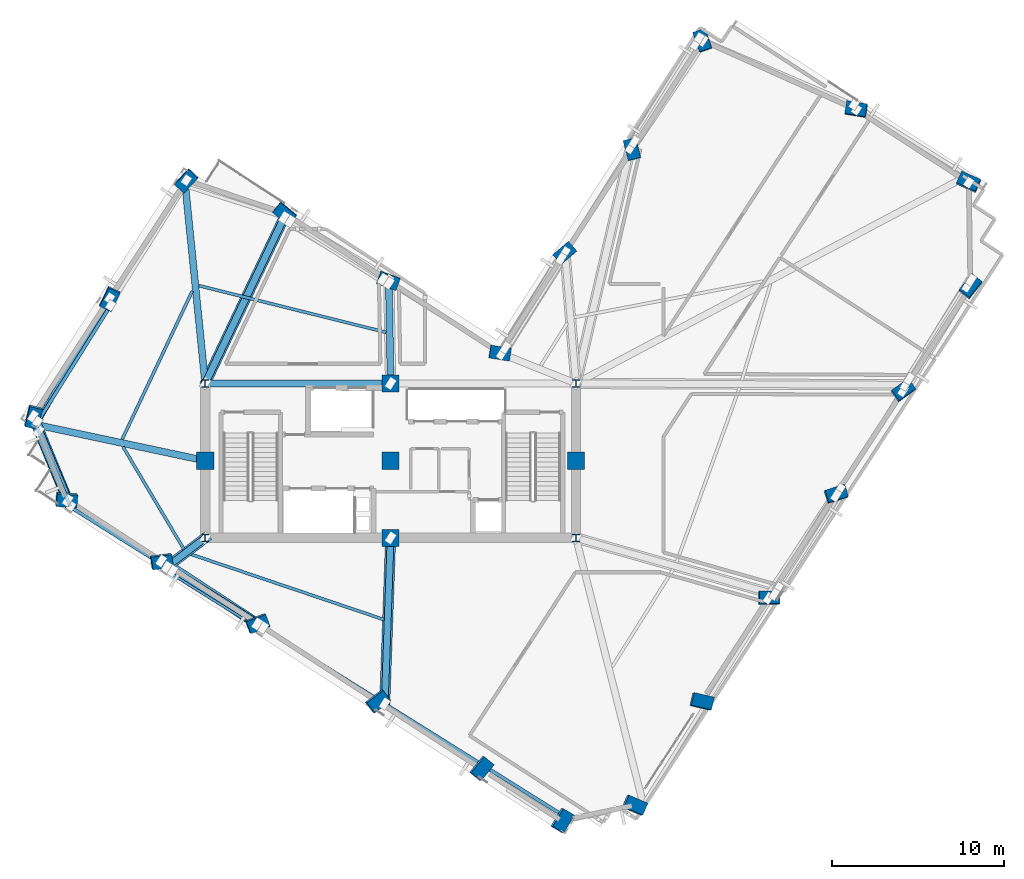
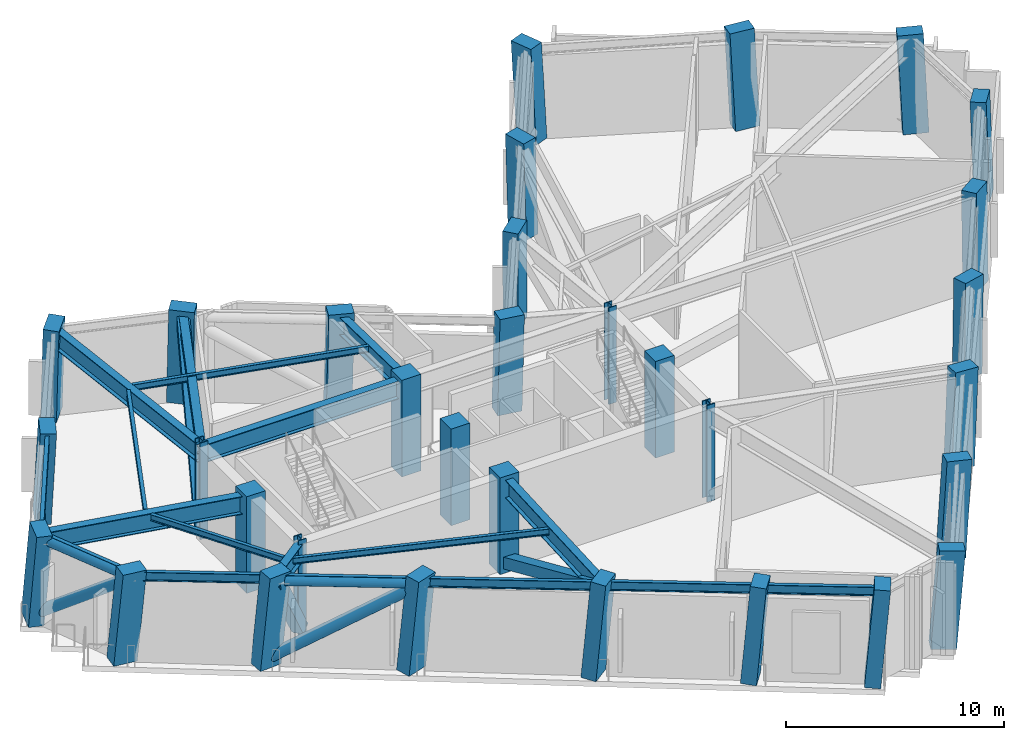
# One storey, part 1 of 11: 32 columns, 17 beams, 9 members.
"""IFC4 building model written with IfcOpenShell, lengths in metres."""

from ifc_helpers import new_model, si_unit, direction, frame, origin, origin_2d, place, context, subcontext, project, spatial, rectangle, hollow_rectangle, hollow_circle, i_section, extrude, material, material_profile, profile_set, type_object, element, save


model = new_model("IFC4")

# Units and contexts
model_context = context("Model", 3, precision=1e-05, world=origin(), true_north=direction((0.0, 1.0)))
body_context = subcontext(model_context, "Body", "Model", "MODEL_VIEW")
ifc_project = project(units=[si_unit("LENGTHUNIT", "METRE"), si_unit("AREAUNIT", "SQUARE_METRE"), si_unit("VOLUMEUNIT", "CUBIC_METRE"), si_unit("PLANEANGLEUNIT", "RADIAN"), si_unit("MASSUNIT", "GRAM", prefix="KILO")], contexts=[model_context])

# Site, building, storey
site_placement = place(None, origin())
site = spatial("IfcSite", under=ifc_project, at=site_placement, CompositionType="ELEMENT")
building_placement = place(site_placement, origin())
building = spatial("IfcBuilding", under=site, at=building_placement, Name="Gaonmaruhae Medical Tower", CompositionType="ELEMENT")
storey_placement = place(building_placement, frame((0.0, 0.0, 267.199951171875)))
storey = spatial("IfcBuildingStorey", under=building, at=storey_placement, Name="L64", CompositionType="ELEMENT", Elevation=267.199951171875)

# Columns
ifc_material_1 = material(Name="Concrete C50/60", Category="concrete")
ifc_material_profile_1 = material_profile(ifc_material_1, rectangle(XDim=1.0, YDim=1.0, at=origin_2d()), Name="RC-1000x1000")
ifc_profile_set_1 = profile_set([ifc_material_profile_1], Name="Concrete C50/60")
column_type_1 = type_object("IfcColumnType", Name="CC-05 Zone 4 Core Column (RC-1000x1000)", PredefinedType="COLUMN", material=ifc_profile_set_1)
for number, where, z_axis, x_axis, name in (
    (1, (14.0, 12.300048828125, 0.0), (0.0, 0.0, 1.0), (1.0, 0.0, 0.0), "L64 Plumb Core Column CC12"),
    (2, (24.800048828125, 7.800048828125, 0.0), (0.0, 0.0, 1.0), (1.0, 0.0, 0.0), "L64 Plumb Core Column CC21"),
    (3, (24.800048828125, 12.300048828125, 0.0), (0.0, 0.0, 1.0), (1.0, 0.0, 0.0), "L64 Plumb Core Column CC22"),
    (4, (24.800048828125, 16.800048828125, 0.0), (0.0, 0.0, 1.0), (1.0, 0.0, 0.0), "L64 Plumb Core Column CC23"),
    (5, (35.60009765625, 12.300048828125, 0.0), (0.0, 0.0, 1.0), (1.0, 0.0, 0.0), "L64 Plumb Core Column CC32"),
):
    element("IfcColumn", number, at=place(storey_placement, frame(where, z_axis=z_axis, x_axis=x_axis)), inside=storey, type_object=column_type_1, Name=name, PredefinedType="COLUMN", context=body_context, shape_type="SweptSolid", body=[
        extrude(rectangle(XDim=1.0, YDim=1.0, at=origin_2d()), origin(), (0.0, 0.0, 1.0), 5.400146484375),
    ])
ifc_material_2 = material(Name="Steel HSA650 (650 MPa)", Category="steel")
ifc_material_profile_2 = material_profile(ifc_material_2, i_section(OverallWidth=0.4169921875, OverallDepth=0.4580078125, WebThickness=0.030029296875, FlangeThickness=0.050048828125, FilletRadius=0.02197265625, at=origin_2d()), Name="H-458x417x30x50")
ifc_profile_set_2 = profile_set([ifc_material_profile_2], Name="Steel HSA650 (650 MPa)")
column_type_2 = type_object("IfcColumnType", Name="SC-03 Refuge Core Collector Column (H-458x417x30x50)", PredefinedType="COLUMN", material=ifc_profile_set_2)
for number, where, z_axis, x_axis, name in (
    (6, (14.0, 7.800048828125, 0.0), (0.0, 0.0, 1.0), (1.0, 0.0, 0.0), "L64 Plumb Core Column CC11"),
    (7, (14.0, 16.800048828125, 0.0), (0.0, 0.0, 1.0), (1.0, 0.0, 0.0), "L64 Plumb Core Column CC13"),
    (8, (35.60009765625, 7.800048828125, 0.0), (0.0, 0.0, 1.0), (1.0, 0.0, 0.0), "L64 Plumb Core Column CC31"),
    (9, (35.60009765625, 16.800048828125, 0.0), (0.0, 0.0, 1.0), (1.0, 0.0, 0.0), "L64 Plumb Core Column CC33"),
):
    element("IfcColumn", number, at=place(storey_placement, frame(where, z_axis=z_axis, x_axis=x_axis)), inside=storey, type_object=column_type_2, Name=name, PredefinedType="COLUMN", context=body_context, shape_type="SweptSolid", body=[
        extrude(i_section(OverallWidth=0.4169921875, OverallDepth=0.4580078125, WebThickness=0.030029296875, FlangeThickness=0.050048828125, FilletRadius=0.02197265625, at=origin_2d()), origin(), (0.0, 0.0, 1.0), 5.400146484375),
    ])
ifc_material_profile_3 = material_profile(ifc_material_1, rectangle(XDim=1.199951171875, YDim=0.75, at=origin_2d()), Name="RC-1200x750")
ifc_profile_set_3 = profile_set([ifc_material_profile_3], Name="Concrete C50/60")
column_type_3 = type_object("IfcColumnType", Name="TC-03 Upper Raking Tube Pier Column (RC-1200x750)", PredefinedType="COLUMN", material=ifc_profile_set_3)
column_1_placement = place(storey_placement, frame((38.978515625, -7.780517578125, 0.073974609375), z_axis=(0.099429388876, 0.017249842814, 0.994895089721), x_axis=(-0.915206828573, 0.39399686095, 0.084634121336)))
element("IfcColumn", 10, at=column_1_placement, inside=storey, type_object=column_type_3, Name="L64 Perimeter Tube Column S01", PredefinedType="COLUMN", context=body_context, shape_type="SweptSolid", body=[
    extrude(rectangle(XDim=1.199951171875, YDim=0.75, at=origin_2d()), origin(), (0.0, 0.0, 1.0), 5.279052734375),
])
column_2_placement = place(storey_placement, frame((42.897705078125, -1.741455078125, 0.0634765625), z_axis=(0.080952545224, 0.029106014835, 0.996292891334), x_axis=(-0.970556490849, 0.229814791991, 0.072147484036)))
element("IfcColumn", 11, at=column_2_placement, inside=storey, type_object=column_type_3, Name="L64 Perimeter Tube Column S02", PredefinedType="COLUMN", context=body_context, shape_type="SweptSolid", body=[
    extrude(rectangle(XDim=1.199951171875, YDim=0.75, at=origin_2d()), origin(), (0.0, 0.0, 1.0), 5.292724609375),
])
column_3_placement = place(storey_placement, frame((46.8173828125, 4.29736328125, 0.055419921875), z_axis=(0.062460605784, 0.040965319932, 0.997206355419), x_axis=(-0.998030598584, -0.003239057599, 0.062645293494)))
element("IfcColumn", 12, at=column_3_placement, inside=storey, type_object=column_type_3, Name="L64 Perimeter Tube Column S03", PredefinedType="COLUMN", context=body_context, shape_type="SweptSolid", body=[
    extrude(rectangle(XDim=1.199951171875, YDim=0.75, at=origin_2d()), origin(), (0.0, 0.0, 1.0), 5.30419921875),
])
column_4_placement = place(storey_placement, frame((50.73779296875, 10.336181640625, 0.051025390625), z_axis=(0.043859282272, 0.052870203996, 0.997637762361), x_axis=(-0.953381229394, -0.296218011109, 0.057611815927)))
element("IfcColumn", 13, at=column_4_placement, inside=storey, type_object=column_type_3, Name="L64 Perimeter Tube Column S04", PredefinedType="COLUMN", context=body_context, shape_type="SweptSolid", body=[
    extrude(rectangle(XDim=1.199951171875, YDim=0.75, at=origin_2d()), origin(), (0.0, 0.0, 1.0), 5.310302734375),
])
column_5_placement = place(storey_placement, frame((54.658203125, 16.375244140625, 0.0517578125), z_axis=(0.025290225343, 0.06469699465, 0.997584434214), x_axis=(-0.811861591985, -0.580936136489, 0.058257710054)))
element("IfcColumn", 14, at=column_5_placement, inside=storey, type_object=column_type_3, Name="L64 Perimeter Tube Column S05", PredefinedType="COLUMN", context=body_context, shape_type="SweptSolid", body=[
    extrude(rectangle(XDim=1.199951171875, YDim=0.75, at=origin_2d()), origin(), (0.0, 0.0, 1.0), 5.3095703125),
])
column_6_placement = place(storey_placement, frame((58.57861328125, 22.414794921875, 0.056884765625), z_axis=(0.006676743262, 0.076529291729, 0.997044978227), x_axis=(-0.615254943872, -0.785691134321, 0.064426667534)))
element("IfcColumn", 15, at=column_6_placement, inside=storey, type_object=column_type_3, Name="L64 Perimeter Tube Column S06", PredefinedType="COLUMN", context=body_context, shape_type="SweptSolid", body=[
    extrude(rectangle(XDim=1.199951171875, YDim=0.75, at=origin_2d()), origin(), (0.0, 0.0, 1.0), 5.302001953125),
])
column_7_placement = place(storey_placement, frame((58.4765625, 28.50146484375, 0.052001953125), z_axis=(-0.011949850991, 0.076065397655, 0.997031221347), x_axis=(0.912783936238, -0.406284177101, 0.041936299107)))
element("IfcColumn", 16, at=column_7_placement, inside=storey, type_object=column_type_3, Name="L64 Perimeter Tube Column E01", PredefinedType="COLUMN", context=body_context, shape_type="SweptSolid", body=[
    extrude(rectangle(XDim=1.199951171875, YDim=0.75, at=origin_2d()), origin(), (0.0, 0.0, 1.0), 5.31201171875),
])
column_8_placement = place(storey_placement, frame((51.9345703125, 32.748046875, 0.041748046875), z_axis=(-0.024843083, 0.055965690669, 0.998123570854), x_axis=(0.987099338127, -0.156597332199, 0.033349246137)))
element("IfcColumn", 17, at=column_8_placement, inside=storey, type_object=column_type_3, Name="L64 Perimeter Tube Column E02", PredefinedType="COLUMN", context=body_context, shape_type="SweptSolid", body=[
    extrude(rectangle(XDim=1.199951171875, YDim=0.75, at=origin_2d()), origin(), (0.0, 0.0, 1.0), 5.326416015625),
])
column_9_placement = place(storey_placement, frame((42.982177734375, 36.771728515625, 0.03564453125), z_axis=(-0.036932340326, 0.02846581869, 0.998912258111), x_axis=(0.331052517564, -0.942801620944, 0.039106702245)))
element("IfcColumn", 18, at=column_9_placement, inside=storey, type_object=column_type_3, Name="L64 Perimeter Tube Column E03", PredefinedType="COLUMN", context=body_context, shape_type="SweptSolid", body=[
    extrude(rectangle(XDim=1.199951171875, YDim=0.75, at=origin_2d()), origin(), (0.0, 0.0, 1.0), 5.334716796875),
])
column_10_placement = place(storey_placement, frame((38.87109375, 30.43896484375, 0.019287109375), z_axis=(-0.017435116864, 0.016023919416, 0.999719586037), x_axis=(0.248772417331, -0.968358338161, 0.019859841122)))
element("IfcColumn", 19, at=column_10_placement, inside=storey, type_object=column_type_3, Name="L64 Perimeter Tube Column EN01", PredefinedType="COLUMN", context=body_context, shape_type="SweptSolid", body=[
    extrude(rectangle(XDim=1.199951171875, YDim=0.75, at=origin_2d()), origin(), (0.0, 0.0, 1.0), 5.363037109375),
])
column_11_placement = place(storey_placement, frame((34.949951171875, 24.400146484375, 0.005615234375), z_axis=(0.001223202341, 0.004167948719, 0.999990565945), x_axis=(-0.758767017467, -0.651351934086, 0.003642961419)))
element("IfcColumn", 20, at=column_11_placement, inside=storey, type_object=column_type_3, Name="L64 Perimeter Tube Column EN02", PredefinedType="COLUMN", context=body_context, shape_type="SweptSolid", body=[
    extrude(rectangle(XDim=1.199951171875, YDim=0.75, at=origin_2d()), origin(), (0.0, 0.0, 1.0), 5.388916015625),
])
column_12_placement = place(storey_placement, frame((31.1650390625, 18.5712890625, 0.01611328125), z_axis=(0.019189983572, -0.00732129705, 0.99978904932), x_axis=(-0.98781379446, 0.15433822059, 0.020090324515)))
element("IfcColumn", 21, at=column_12_placement, inside=storey, type_object=column_type_3, Name="L64 Perimeter Tube Column KN01", PredefinedType="COLUMN", context=body_context, shape_type="SweptSolid", body=[
    extrude(rectangle(XDim=1.199951171875, YDim=0.75, at=origin_2d()), origin(), (0.0, 0.0, 1.0), 5.368896484375),
])
column_13_placement = place(storey_placement, frame((24.665283203125, 22.791748046875, 0.0205078125), z_axis=(0.00637532286, -0.027368350276, 0.999605086352), x_axis=(-0.940316087237, 0.339957959973, 0.015304951308)))
element("IfcColumn", 22, at=column_13_placement, inside=storey, type_object=column_type_3, Name="L64 Perimeter Tube Column NE01", PredefinedType="COLUMN", context=body_context, shape_type="SweptSolid", body=[
    extrude(rectangle(XDim=1.199951171875, YDim=0.75, at=origin_2d()), origin(), (0.0, 0.0, 1.0), 5.361328125),
])
column_14_placement = place(storey_placement, frame((18.62646484375, 26.71240234375, 0.0322265625), z_axis=(-0.005484844167, -0.045981276934, 0.998927243925), x_axis=(-0.768326525414, 0.639560993839, 0.02522073561)))
element("IfcColumn", 23, at=column_14_placement, inside=storey, type_object=column_type_3, Name="L64 Perimeter Tube Column NE02", PredefinedType="COLUMN", context=body_context, shape_type="SweptSolid", body=[
    extrude(rectangle(XDim=1.199951171875, YDim=0.75, at=origin_2d()), origin(), (0.0, 0.0, 1.0), 5.34130859375),
])
column_15_placement = place(storey_placement, frame((12.903076171875, 28.638916015625, 0.048095703125), z_axis=(-0.01125435187, -0.063529667905, 0.997916489923), x_axis=(0.682277818555, 0.729087842217, 0.05411004195)))
element("IfcColumn", 24, at=column_15_placement, inside=storey, type_object=column_type_3, Name="L64 Perimeter Tube Column N01", PredefinedType="COLUMN", context=body_context, shape_type="SweptSolid", body=[
    extrude(rectangle(XDim=1.199951171875, YDim=0.75, at=origin_2d()), origin(), (0.0, 0.0, 1.0), 5.314697265625),
])
column_16_placement = place(storey_placement, frame((8.43798828125, 21.760498046875, 0.057373046875), z_axis=(0.009947285154, -0.076953303204, 0.996985075437), x_axis=(0.432953879725, 0.899064028103, 0.065075428562)))
element("IfcColumn", 25, at=column_16_placement, inside=storey, type_object=column_type_3, Name="L64 Perimeter Tube Column N02", PredefinedType="COLUMN", context=body_context, shape_type="SweptSolid", body=[
    extrude(rectangle(XDim=1.199951171875, YDim=0.75, at=origin_2d()), origin(), (0.0, 0.0, 1.0), 5.30126953125),
])
column_17_placement = place(storey_placement, frame((3.9736328125, 14.88134765625, 0.070068359375), z_axis=(0.031048064654, -0.090279640377, 0.995432370488), x_axis=(0.243530058945, 0.966582812347, 0.080067329576)))
element("IfcColumn", 26, at=column_17_placement, inside=storey, type_object=column_type_3, Name="L64 Perimeter Tube Column N03", PredefinedType="COLUMN", context=body_context, shape_type="SweptSolid", body=[
    extrude(rectangle(XDim=1.199951171875, YDim=0.75, at=origin_2d()), origin(), (0.0, 0.0, 1.0), 5.2841796875),
])
column_18_placement = place(storey_placement, frame((5.90478515625, 10.051513671875, 0.06396484375), z_axis=(0.04577308155, -0.084263034314, 0.995391664649), x_axis=(-0.995735067647, 0.076052732047, 0.052226975843)))
element("IfcColumn", 27, at=column_18_placement, inside=storey, type_object=column_type_3, Name="L64 Perimeter Tube Column W01", PredefinedType="COLUMN", context=body_context, shape_type="SweptSolid", body=[
    extrude(rectangle(XDim=1.199951171875, YDim=0.75, at=origin_2d()), origin(), (0.0, 0.0, 1.0), 5.29638671875),
])
column_19_placement = place(storey_placement, frame((11.4404296875, 6.45849609375, 0.05908203125), z_axis=(0.056631749348, -0.067359552273, 0.996120241579), x_axis=(-0.991068795287, -0.124440305203, 0.047929671906)))
element("IfcColumn", 28, at=column_19_placement, inside=storey, type_object=column_type_3, Name="L64 Perimeter Tube Column W02", PredefinedType="COLUMN", context=body_context, shape_type="SweptSolid", body=[
    extrude(rectangle(XDim=1.199951171875, YDim=0.75, at=origin_2d()), origin(), (0.0, 0.0, 1.0), 5.302490234375),
])
column_20_placement = place(storey_placement, frame((17.01806640625, 2.837646484375, 0.056640625), z_axis=(0.067595794979, -0.050156171904, 0.996451286778), x_axis=(-0.935580488244, -0.350125069211, 0.045843057575)))
element("IfcColumn", 29, at=column_20_placement, inside=storey, type_object=column_type_3, Name="L64 Perimeter Tube Column W03", PredefinedType="COLUMN", context=body_context, shape_type="SweptSolid", body=[
    extrude(rectangle(XDim=1.199951171875, YDim=0.75, at=origin_2d()), origin(), (0.0, 0.0, 1.0), 5.3056640625),
])
column_21_placement = place(storey_placement, frame((24.02197265625, -1.708740234375, 0.057861328125), z_axis=(0.081285627118, -0.028675507188, 0.996278255364), x_axis=(-0.790713942409, -0.610383154521, 0.046945350752)))
element("IfcColumn", 30, at=column_21_placement, inside=storey, type_object=column_type_3, Name="L64 Perimeter Tube Column W04", PredefinedType="COLUMN", context=body_context, shape_type="SweptSolid", body=[
    extrude(rectangle(XDim=1.199951171875, YDim=0.75, at=origin_2d()), origin(), (0.0, 0.0, 1.0), 5.30419921875),
])
column_22_placement = place(storey_placement, frame((30.0615234375, -5.629150390625, 0.0625), z_axis=(0.093081865115, -0.010091548743, 0.995607315678), x_axis=(-0.629483119937, -0.775339091479, 0.050993087163)))
element("IfcColumn", 31, at=column_22_placement, inside=storey, type_object=column_type_3, Name="L64 Perimeter Tube Column W05", PredefinedType="COLUMN", context=body_context, shape_type="SweptSolid", body=[
    extrude(rectangle(XDim=1.199951171875, YDim=0.75, at=origin_2d()), origin(), (0.0, 0.0, 1.0), 5.298095703125),
])
column_23_placement = place(storey_placement, frame((34.759033203125, -8.67822265625, 0.068115234375), z_axis=(0.102238625043, 0.004336836983, 0.994750448803), x_axis=(-0.505749741965, -0.860878044005, 0.055733220367)))
element("IfcColumn", 32, at=column_23_placement, inside=storey, type_object=column_type_3, Name="L64 Perimeter Tube Column W06", PredefinedType="COLUMN", context=body_context, shape_type="SweptSolid", body=[
    extrude(rectangle(XDim=1.199951171875, YDim=0.75, at=origin_2d()), origin(), (0.0, 0.0, 1.0), 5.291748046875),
])

# Beams
ifc_material_3 = material(Name="Steel SM420", Category="steel")
ifc_material_profile_4 = material_profile(ifc_material_3, i_section(OverallWidth=0.39990234375, OverallDepth=1.0, WebThickness=0.02197265625, FlangeThickness=0.035888671875, at=origin_2d()), Name="BH-1000x400x22x36")
ifc_profile_set_4 = profile_set([ifc_material_profile_4], Name="Steel SM420")
beam_type_1 = type_object("IfcBeamType", Name="BG-02 Refuge Floor Primary Girder (BH-1000x400x22x36)", PredefinedType="BEAM", material=ifc_profile_set_4)
beam_1_placement = place(storey_placement, frame((14.050048828125, 16.800048828125, 4.679931640625), z_axis=(1.0, 0.0, 0.0), x_axis=(0.0, 1.0, 0.0)))
element("IfcBeam", 33, at=beam_1_placement, inside=storey, type_object=beam_type_1, Name="L64 Beam BM-L64-CG-N1", PredefinedType="BEAM", context=body_context, shape_type="SweptSolid", body=[
    extrude(i_section(OverallWidth=0.39990234375, OverallDepth=1.0, WebThickness=0.02197265625, FlangeThickness=0.035888671875, at=origin_2d()), origin(), (0.0, 0.0, 1.0), 10.699951171875),
])
beam_2_placement = place(storey_placement, frame((24.799072265625, 16.85009765625, 4.679931640625), z_axis=(-0.017167769972, 0.999852622977, 0.0), x_axis=(-0.999852622977, -0.017167769972, 0.0)))
element("IfcBeam", 34, at=beam_2_placement, inside=storey, type_object=beam_type_1, Name="L64 Radial Primary Girder NE01", PredefinedType="BEAM", context=body_context, shape_type="SweptSolid", body=[
    extrude(i_section(OverallWidth=0.39990234375, OverallDepth=1.0, WebThickness=0.02197265625, FlangeThickness=0.035888671875, at=origin_2d()), origin(), (0.0, 0.0, 1.0), 5.7451171875),
])
beam_3_placement = place(storey_placement, frame((13.994873046875, 16.849853515625, 4.679931640625), z_axis=(-0.100138798667, 0.994973477537, 0.0), x_axis=(-0.994973477537, -0.100138798667, 0.0)))
element("IfcBeam", 35, at=beam_3_placement, inside=storey, type_object=beam_type_1, Name="L64 Radial Primary Girder N01", PredefinedType="BEAM", context=body_context, shape_type="SweptSolid", body=[
    extrude(i_section(OverallWidth=0.39990234375, OverallDepth=1.0, WebThickness=0.02197265625, FlangeThickness=0.035888671875, at=origin_2d()), origin(), (0.0, 0.0, 1.0), 11.456298828125),
])
beam_4_placement = place(storey_placement, frame((13.951171875, 12.310302734375, 4.679931640625), z_axis=(-0.978105293365, 0.208110631854, 0.0), x_axis=(-0.208110631854, -0.978105293365, 0.0)))
element("IfcBeam", 36, at=beam_4_placement, inside=storey, type_object=beam_type_1, Name="L64 Radial Primary Girder N03", PredefinedType="BEAM", context=body_context, shape_type="SweptSolid", body=[
    extrude(i_section(OverallWidth=0.39990234375, OverallDepth=1.0, WebThickness=0.02197265625, FlangeThickness=0.035888671875, at=origin_2d()), origin(), (0.0, 0.0, 1.0), 9.98095703125),
])
beam_5_placement = place(storey_placement, frame((13.960205078125, 7.769775390625, 4.66015625), z_axis=(-0.798223273817, -0.602361689632, 0.0), x_axis=(0.602361689632, -0.798223273817, 0.0)))
element("IfcBeam", 37, at=beam_5_placement, inside=storey, type_object=beam_type_1, Name="L64 Radial Primary Girder W02", PredefinedType="BEAM", context=body_context, shape_type="SweptSolid", body=[
    extrude(i_section(OverallWidth=0.39990234375, OverallDepth=1.0, WebThickness=0.02197265625, FlangeThickness=0.035888671875, at=origin_2d()), origin(), (0.0, 0.0, 1.0), 2.72607421875),
])
beam_6_placement = place(storey_placement, frame((24.79833984375, 7.75, 4.679931640625), z_axis=(-0.035389378647, -0.999373599751, 0.0), x_axis=(0.999373599751, -0.035389378647, 0.0)))
element("IfcBeam", 38, at=beam_6_placement, inside=storey, type_object=beam_type_1, Name="L64 Radial Primary Girder W04", PredefinedType="BEAM", context=body_context, shape_type="SweptSolid", body=[
    extrude(i_section(OverallWidth=0.39990234375, OverallDepth=1.0, WebThickness=0.02197265625, FlangeThickness=0.035888671875, at=origin_2d()), origin(), (0.0, 0.0, 1.0), 9.568603515625),
])

# Members
ifc_material_profile_5 = material_profile(ifc_material_2, hollow_circle(Radius=0.25390625, WallThickness=0.01611328125, at=origin_2d()), Name="CHS-508.0x16.0")
ifc_profile_set_5 = profile_set([ifc_material_profile_5], Name="Steel HSA650 (650 MPa)")
member_type_1 = type_object("IfcMemberType", Name="BT-C1 Belt Truss Perimeter Chord (CHS-508.0x16.0)", PredefinedType="CHORD", material=ifc_profile_set_5)
member_1_placement = place(storey_placement, frame((4.30224609375, 14.010498046875, 4.830078125), z_axis=(0.386395010616, -0.922333397298, 0.0), x_axis=(0.922333397298, 0.386395010616, 0.0)))
element("IfcMember", 39, at=member_1_placement, inside=storey, type_object=member_type_1, Name="L64 Belt Truss Top Chord BTC06", PredefinedType="CHORD", context=body_context, shape_type="SweptSolid", body=[
    extrude(hollow_circle(Radius=0.25390625, WallThickness=0.01611328125, at=origin_2d()), origin(), (0.0, 0.0, 1.0), 4.3623046875),
])
member_2_placement = place(storey_placement, frame((12.10009765625, 5.87451171875, 4.830078125), z_axis=(0.847599103376, -0.53063712644, 0.0), x_axis=(0.53063712644, 0.847599103376, 0.0)))
element("IfcMember", 40, at=member_2_placement, inside=storey, type_object=member_type_1, Name="L64 Belt Truss Top Chord BTC07", PredefinedType="CHORD", context=body_context, shape_type="SweptSolid", body=[
    extrude(hollow_circle(Radius=0.25390625, WallThickness=0.01611328125, at=origin_2d()), origin(), (0.0, 0.0, 1.0), 5.81005859375),
])
ifc_material_profile_6 = material_profile(ifc_material_2, hollow_circle(Radius=0.3046875, WallThickness=0.02197265625, at=origin_2d()), Name="CHS-609.6x22.0")
ifc_profile_set_6 = profile_set([ifc_material_profile_6], Name="Steel HSA650 (650 MPa)")
member_type_2 = type_object("IfcMemberType", Name="BT-D2 Belt Truss Diagonal Tubular (CHS-609.6x22.0)", PredefinedType="BRACE", material=ifc_profile_set_6)
member_3_placement = place(storey_placement, frame((3.971435546875, 14.8876953125, 0.35009765625), z_axis=(0.299896922199, -0.727865019937, 0.616663886414), x_axis=(0.924594087898, 0.380953767044, 0.0)))
element("IfcMember", 41, at=member_3_placement, inside=storey, type_object=member_type_2, Name="L64 Belt Truss Diagonal BTD06", PredefinedType="BRACE", context=body_context, shape_type="SweptSolid", body=[
    extrude(hollow_circle(Radius=0.3046875, WallThickness=0.02197265625, at=origin_2d()), origin(), (0.0, 0.0, 1.0), 7.264892578125),
])
member_4_placement = place(storey_placement, frame((11.43701171875, 6.46240234375, 0.35009765625), z_axis=(0.707580285438, -0.4635530077, 0.533337368568), x_axis=(0.547998072001, 0.836479595139, 0.0)))
element("IfcMember", 42, at=member_4_placement, inside=storey, type_object=member_type_2, Name="L64 Belt Truss Diagonal BTD07", PredefinedType="BRACE", context=body_context, shape_type="SweptSolid", body=[
    extrude(hollow_circle(Radius=0.3046875, WallThickness=0.02197265625, at=origin_2d()), origin(), (0.0, 0.0, 1.0), 8.39990234375),
])

# Beams
ifc_material_4 = material(Name="Steel SM355", Category="steel")
ifc_material_profile_7 = material_profile(ifc_material_4, i_section(OverallWidth=0.175048828125, OverallDepth=0.35009765625, WebThickness=0.007080078125, FlangeThickness=0.010986328125, FilletRadius=0.012939453125, at=origin_2d()), Name="H-350x175x7x11")
ifc_profile_set_7 = profile_set([ifc_material_profile_7], Name="Steel SM355")
beam_type_2 = type_object("IfcBeamType", Name="FJ-02 Upper Zone Ward Floor Joist (H-350x175x7x11)", PredefinedType="JOIST", material=ifc_profile_set_7)
beam_7_placement = place(storey_placement, frame((24.54296875, 19.77392578125, 5.005126953125), z_axis=(-0.970247140834, 0.242116677873, 0.0), x_axis=(-0.242116677873, -0.970247140834, 0.0)))
element("IfcBeam", 43, at=beam_7_placement, inside=storey, type_object=beam_type_2, Name="L64 Secondary Floor Joist FJ07", PredefinedType="JOIST", context=body_context, shape_type="SweptSolid", body=[
    extrude(i_section(OverallWidth=0.175048828125, OverallDepth=0.35009765625, WebThickness=0.007080078125, FlangeThickness=0.010986328125, FilletRadius=0.012939453125, at=origin_2d()), origin(), (0.0, 0.0, 1.0), 11.244140625),
])
beam_8_placement = place(storey_placement, frame((13.2529296875, 22.193359375, 5.005126953125), z_axis=(-0.427539179733, -0.90399681957, 0.0), x_axis=(0.90399681957, -0.427539179733, 0.0)))
element("IfcBeam", 44, at=beam_8_placement, inside=storey, type_object=beam_type_2, Name="L64 Secondary Floor Joist FJ08", PredefinedType="JOIST", context=body_context, shape_type="SweptSolid", body=[
    extrude(i_section(OverallWidth=0.175048828125, OverallDepth=0.35009765625, WebThickness=0.007080078125, FlangeThickness=0.010986328125, FilletRadius=0.012939453125, at=origin_2d()), origin(), (0.0, 0.0, 1.0), 9.572265625),
])
beam_9_placement = place(storey_placement, frame((9.2119140625, 13.10986328125, 5.005126953125), z_axis=(0.510760831115, -0.859722846851, 0.0), x_axis=(0.859722846851, 0.510760831115, 0.0)))
element("IfcBeam", 45, at=beam_9_placement, inside=storey, type_object=beam_type_2, Name="L64 Secondary Floor Joist FJ09", PredefinedType="JOIST", context=body_context, shape_type="SweptSolid", body=[
    extrude(i_section(OverallWidth=0.175048828125, OverallDepth=0.35009765625, WebThickness=0.007080078125, FlangeThickness=0.010986328125, FilletRadius=0.012939453125, at=origin_2d()), origin(), (0.0, 0.0, 1.0), 6.959228515625),
])
beam_10_placement = place(storey_placement, frame((13.10693359375, 6.869140625, 4.985107421875), z_axis=(0.947199932532, -0.32064355258, 0.0), x_axis=(0.32064355258, 0.947199932532, 0.0)))
element("IfcBeam", 46, at=beam_10_placement, inside=storey, type_object=beam_type_2, Name="L64 Secondary Floor Joist FJ10", PredefinedType="JOIST", context=body_context, shape_type="SweptSolid", body=[
    extrude(i_section(OverallWidth=0.175048828125, OverallDepth=0.35009765625, WebThickness=0.007080078125, FlangeThickness=0.010986328125, FilletRadius=0.012939453125, at=origin_2d()), origin(), (0.0, 0.0, 1.0), 11.949462890625),
])

# Members
ifc_material_profile_8 = material_profile(ifc_material_2, i_section(OverallWidth=0.4169921875, OverallDepth=0.4580078125, WebThickness=0.030029296875, FlangeThickness=0.050048828125, FilletRadius=0.02197265625, at=origin_2d()), Name="H-458x417x30x50")
ifc_profile_set_8 = profile_set([ifc_material_profile_8], Name="Steel HSA650 (650 MPa)")
member_type_3 = type_object("IfcMemberType", Name="OT-C1 Outrigger Truss Chord (H-458x417x30x50)", PredefinedType="CHORD", material=ifc_profile_set_8)
member_5_placement = place(storey_placement, frame((14.0, 16.800048828125, 4.830078125), z_axis=(0.429507629523, 0.903063229337, 0.0), x_axis=(-0.903063229337, 0.429507629523, 0.0)))
element("IfcMember", 47, at=member_5_placement, inside=storey, type_object=member_type_3, Name="L64 Outrigger Truss Chord OTC06", PredefinedType="CHORD", context=body_context, shape_type="SweptSolid", body=[
    extrude(i_section(OverallWidth=0.4169921875, OverallDepth=0.4580078125, WebThickness=0.030029296875, FlangeThickness=0.050048828125, FilletRadius=0.02197265625, at=origin_2d()), origin(), (0.0, 0.0, 1.0), 10.702880859375),
])
ifc_material_profile_9 = material_profile(ifc_material_2, hollow_rectangle(XDim=0.60009765625, YDim=0.60009765625, WallThickness=0.028076171875, at=origin_2d()), Name="RHS-600x600x28")
ifc_profile_set_9 = profile_set([ifc_material_profile_9], Name="Steel HSA650 (650 MPa)")
member_type_4 = type_object("IfcMemberType", Name="OT-D2 Outrigger Truss Diagonal Upper (RHS-600x600x28)", PredefinedType="BRACE", material=ifc_profile_set_9)
member_6_placement = place(storey_placement, frame((14.0, 16.800048828125, 0.35009765625), z_axis=(0.396198754749, 0.833029502457, 0.386119663798), x_axis=(-0.903063229337, 0.429507629523, 0.0)))
element("IfcMember", 48, at=member_6_placement, inside=storey, type_object=member_type_4, Name="L64 Outrigger Truss Diagonal OTD06", PredefinedType="BRACE", context=body_context, shape_type="SweptSolid", body=[
    extrude(hollow_rectangle(XDim=0.60009765625, YDim=0.60009765625, WallThickness=0.028076171875, at=origin_2d()), origin(), (0.0, 0.0, 1.0), 11.6025390625),
])
member_7_placement = place(storey_placement, frame((14.0, 7.800048828125, 0.35009765625), z_axis=(-0.425875745603, -0.321434788944, 0.845759732881), x_axis=(0.602429750232, -0.798171908824, 0.0)))
element("IfcMember", 49, at=member_7_placement, inside=storey, type_object=member_type_4, Name="L64 Outrigger Truss Diagonal OTD07", PredefinedType="BRACE", context=body_context, shape_type="SweptSolid", body=[
    extrude(hollow_rectangle(XDim=0.60009765625, YDim=0.60009765625, WallThickness=0.028076171875, at=origin_2d()), origin(), (0.0, 0.0, 1.0), 5.296875),
])
member_8_placement = place(storey_placement, frame((24.800048828125, 7.800048828125, 0.35009765625), z_axis=(-0.032098065648, -0.90676462684, 0.420413636427), x_axis=(0.999374062925, -0.035376296482, 0.0)))
element("IfcMember", 50, at=member_8_placement, inside=storey, type_object=member_type_4, Name="L64 Outrigger Truss Diagonal OTD08", PredefinedType="BRACE", context=body_context, shape_type="SweptSolid", body=[
    extrude(hollow_rectangle(XDim=0.60009765625, YDim=0.60009765625, WallThickness=0.028076171875, at=origin_2d()), origin(), (0.0, 0.0, 1.0), 10.656005859375),
])
ifc_material_profile_10 = material_profile(ifc_material_4, hollow_circle(Radius=0.1591796875, WallThickness=0.01025390625, at=origin_2d()), Name="CHS-318.5x10.3")
ifc_profile_set_10 = profile_set([ifc_material_profile_10], Name="Steel SM355")
member_type_5 = type_object("IfcMemberType", Name="PB-03 Perimeter Solid-Bay Tube Brace Upper (CHS-318.5x10.3)", PredefinedType="BRACE", material=ifc_profile_set_10)
member_9_placement = place(storey_placement, frame((8.4375, 21.764892578125, 0.25), z_axis=(-0.441751563409, -0.757255382715, 0.481061161989), x_axis=(0.863769340651, -0.503887414163, 0.0)))
element("IfcMember", 51, at=member_9_placement, inside=storey, type_object=member_type_5, Name="L64 Perimeter Tube Solid-Bay Brace N02-N03", PredefinedType="BRACE", context=body_context, shape_type="SweptSolid", body=[
    extrude(hollow_circle(Radius=0.1591796875, WallThickness=0.01025390625, at=origin_2d()), origin(), (0.0, 0.0, 1.0), 9.508544921875),
])

# Beams
ifc_material_profile_11 = material_profile(ifc_material_4, i_section(OverallWidth=0.199951171875, OverallDepth=0.5, WebThickness=0.010009765625, FlangeThickness=0.01611328125, FilletRadius=0.012939453125, at=origin_2d()), Name="H-500x200x10x16")
ifc_profile_set_11 = profile_set([ifc_material_profile_11], Name="Steel SM355")
beam_type_3 = type_object("IfcBeamType", Name="SP-02 Upper Perimeter Spandrel Beam (H-500x200x10x16)", PredefinedType="SPANDREL", material=ifc_profile_set_11)
beam_11_placement = place(storey_placement, frame((8.469970703125, 21.314208984375, 4.929931640625), z_axis=(-0.530639301356, -0.847597741772, 0.0), x_axis=(0.847597741772, -0.530639301356, 0.0)))
element("IfcBeam", 52, at=beam_11_placement, inside=storey, type_object=beam_type_3, Name="L64 Perimeter Spandrel Beam N02-N03", PredefinedType="SPANDREL", context=body_context, shape_type="SweptSolid", body=[
    extrude(i_section(OverallWidth=0.199951171875, OverallDepth=0.5, WebThickness=0.010009765625, FlangeThickness=0.01611328125, FilletRadius=0.012939453125, at=origin_2d()), origin(), (0.0, 0.0, 1.0), 8.1201171875),
])
beam_12_placement = place(storey_placement, frame((4.1552734375, 14.361083984375, 4.929931640625), z_axis=(0.386445535356, -0.922312229239, 0.0), x_axis=(0.922312229239, 0.386445535356, 0.0)))
element("IfcBeam", 53, at=beam_12_placement, inside=storey, type_object=beam_type_3, Name="L64 Perimeter Spandrel Beam N03-W01", PredefinedType="SPANDREL", context=body_context, shape_type="SweptSolid", body=[
    extrude(i_section(OverallWidth=0.199951171875, OverallDepth=0.5, WebThickness=0.010009765625, FlangeThickness=0.01611328125, FilletRadius=0.012939453125, at=origin_2d()), origin(), (0.0, 0.0, 1.0), 5.122314453125),
])
beam_13_placement = place(storey_placement, frame((6.18408203125, 9.57861328125, 4.929931640625), z_axis=(0.847575196339, -0.530675311797, 0.0), x_axis=(0.530675311797, 0.847575196339, 0.0)))
element("IfcBeam", 54, at=beam_13_placement, inside=storey, type_object=beam_type_3, Name="L64 Perimeter Spandrel Beam W01-W02", PredefinedType="SPANDREL", context=body_context, shape_type="SweptSolid", body=[
    extrude(i_section(OverallWidth=0.199951171875, OverallDepth=0.5, WebThickness=0.010009765625, FlangeThickness=0.01611328125, FilletRadius=0.012939453125, at=origin_2d()), origin(), (0.0, 0.0, 1.0), 6.52001953125),
])
beam_14_placement = place(storey_placement, frame((11.778076171875, 6.076171875, 4.91015625), z_axis=(0.847590959873, -0.530650134026, 0.0), x_axis=(0.530650134026, 0.847590959873, 0.0)))
element("IfcBeam", 55, at=beam_14_placement, inside=storey, type_object=beam_type_3, Name="L64 Perimeter Spandrel Beam W02-W03", PredefinedType="SPANDREL", context=body_context, shape_type="SweptSolid", body=[
    extrude(i_section(OverallWidth=0.199951171875, OverallDepth=0.5, WebThickness=0.010009765625, FlangeThickness=0.01611328125, FilletRadius=0.012939453125, at=origin_2d()), origin(), (0.0, 0.0, 1.0), 6.56982421875),
])
beam_15_placement = place(storey_placement, frame((17.41455078125, 2.54736328125, 4.91015625), z_axis=(0.847578441515, -0.530670128685, 0.0), x_axis=(0.530670128685, 0.847578441515, 0.0)))
element("IfcBeam", 56, at=beam_15_placement, inside=storey, type_object=beam_type_3, Name="L64 Perimeter Spandrel Beam W03-W04", PredefinedType="SPANDREL", context=body_context, shape_type="SweptSolid", body=[
    extrude(i_section(OverallWidth=0.199951171875, OverallDepth=0.5, WebThickness=0.010009765625, FlangeThickness=0.01611328125, FilletRadius=0.012939453125, at=origin_2d()), origin(), (0.0, 0.0, 1.0), 8.27001953125),
])
beam_16_placement = place(storey_placement, frame((24.491943359375, -1.883544921875, 4.929931640625), z_axis=(0.847578082676, -0.530670701817, 0.0), x_axis=(0.530670701817, 0.847578082676, 0.0)))
element("IfcBeam", 57, at=beam_16_placement, inside=storey, type_object=beam_type_3, Name="L64 Perimeter Spandrel Beam W04-W05", PredefinedType="SPANDREL", context=body_context, shape_type="SweptSolid", body=[
    extrude(i_section(OverallWidth=0.199951171875, OverallDepth=0.5, WebThickness=0.010009765625, FlangeThickness=0.01611328125, FilletRadius=0.012939453125, at=origin_2d()), origin(), (0.0, 0.0, 1.0), 7.119873046875),
])
beam_17_placement = place(storey_placement, frame((30.594482421875, -5.704345703125, 4.929931640625), z_axis=(0.847590556942, -0.530650777614, 0.0), x_axis=(0.530650777614, 0.847590556942, 0.0)))
element("IfcBeam", 58, at=beam_17_placement, inside=storey, type_object=beam_type_3, Name="L64 Perimeter Spandrel Beam W05-W06", PredefinedType="SPANDREL", context=body_context, shape_type="SweptSolid", body=[
    extrude(i_section(OverallWidth=0.199951171875, OverallDepth=0.5, WebThickness=0.010009765625, FlangeThickness=0.01611328125, FilletRadius=0.012939453125, at=origin_2d()), origin(), (0.0, 0.0, 1.0), 5.52001953125),
])

save(model, "model.ifc")
